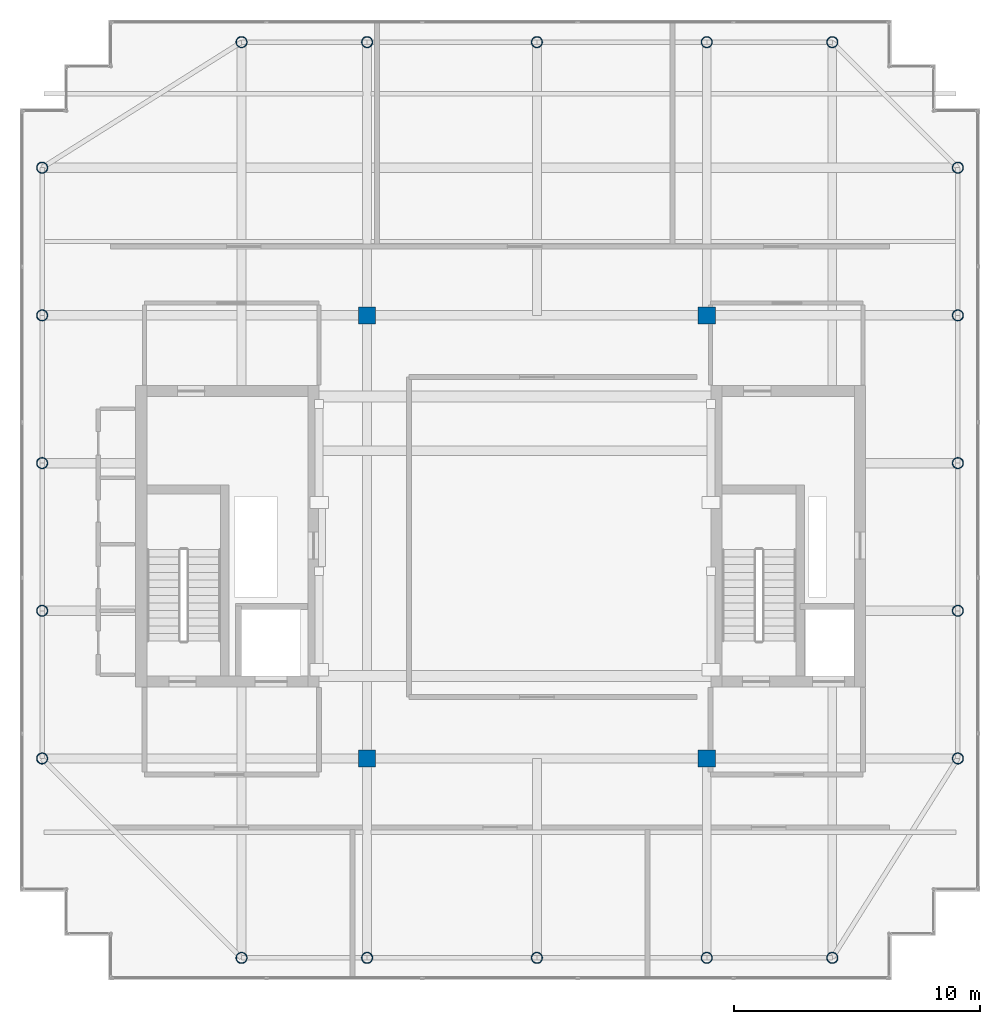
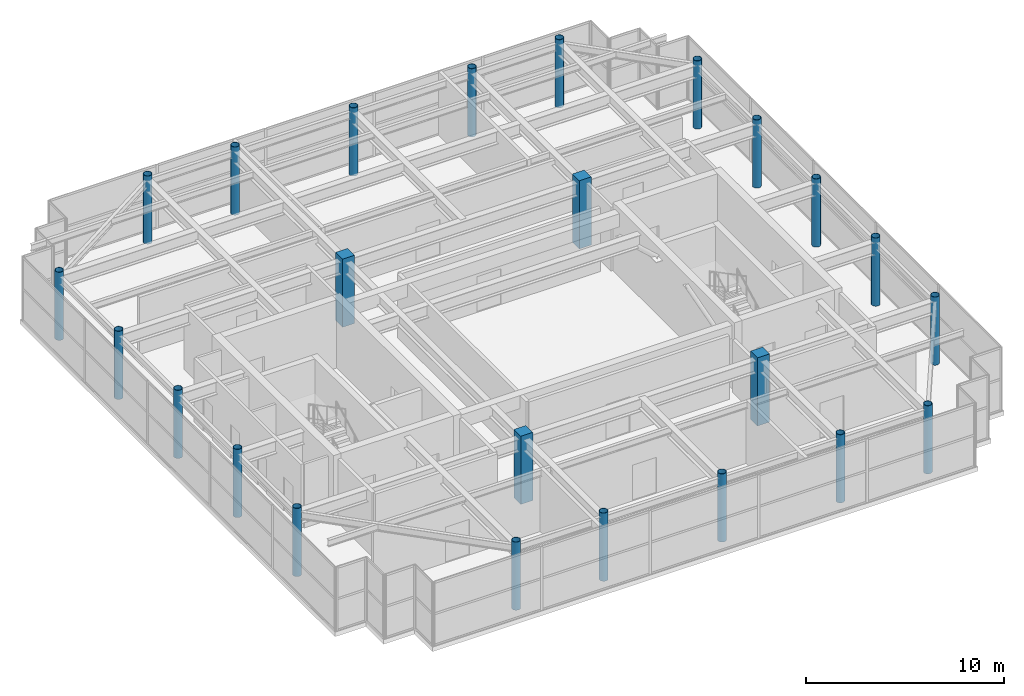
# One storey, part 1 of 33: 24 columns.
"""IFC4 building model written with IfcOpenShell, lengths in metres."""

import ifcopenshell
import ifcopenshell.guid

model = None  # the IFC model being written
_history = None  # IfcOwnerHistory: only IFC2X3 demands one
_inside = {}  # id of a spatial element -> (the spatial element, [elements in it])
_under = {}  # id of a project, library or spatial element -> (it, [spatial elements below it])
_declared = {}  # id of a project -> (the project, [libraries it declares])
_typed = {}  # id of a type object -> (the type object, [elements of that type])
_made_of = {}  # id of a material, layer set ... -> (it, [elements and type objects made of it])


def new_model(schema):
    """Start an empty IFC model of exactly this schema.

    Asked for "IFC4X3", IfcOpenShell would pick the latest addendum, in which some entities
    have other attributes; the version numbers below select the first issue.
    IFC2X3 requires an IfcOwnerHistory on every rooted entity: one is made here for all.
    """
    global model, _history
    if schema == "IFC4X3":
        model = ifcopenshell.file(schema_version=(4, 3, 0, 0))
    else:
        model = ifcopenshell.file(schema=schema)
    _inside.clear()
    _under.clear()
    _declared.clear()
    _typed.clear()
    _made_of.clear()
    _history = None
    if model.schema == "IFC2X3":
        org = make("IfcOrganization", Name="unknown")
        user = make(
            "IfcPersonAndOrganization",
            ThePerson=make("IfcPerson", FamilyName="unknown"),
            TheOrganization=org,
        )
        app = make(
            "IfcApplication",
            ApplicationDeveloper=org,
            Version="unknown",
            ApplicationFullName="unknown",
            ApplicationIdentifier="unknown",
        )
        _history = make(
            "IfcOwnerHistory",
            OwningUser=user,
            OwningApplication=app,
            ChangeAction="ADDED",
            CreationDate=0,
        )
    return model


def make(cls, **values):
    """One entity of the class cls with the attributes given. An attribute that is None is left unset."""
    return model.create_entity(
        cls, **{name: value for name, value in values.items() if value is not None}
    )


def rooted(cls, **values):
    """An entity with a GlobalId (a new one), such as an element, a storey or a relation."""
    return make(cls, GlobalId=ifcopenshell.guid.new(), OwnerHistory=_history, **values)


def si_unit(unit_type, name, prefix=None):
    """IfcSIUnit, for example si_unit("LENGTHUNIT", "METRE", prefix="MILLI")."""
    return make("IfcSIUnit", UnitType=unit_type, Prefix=prefix, Name=name)


def assignment(units):
    """IfcUnitAssignment: the units of a project."""
    return None if units is None else make("IfcUnitAssignment", Units=units)


def point(xyz):
    """IfcCartesianPoint."""
    return None if xyz is None else make("IfcCartesianPoint", Coordinates=xyz)


def direction(xyz):
    """IfcDirection."""
    return None if xyz is None else make("IfcDirection", DirectionRatios=xyz)


def frame(location, z_axis=None, x_axis=None):
    """IfcAxis2Placement3D, a coordinate frame: its origin and axes. An axis left out is left unset."""
    return make(
        "IfcAxis2Placement3D",
        Location=point(location),
        Axis=direction(z_axis),
        RefDirection=direction(x_axis),
    )


def frame_2d(location, x_axis=None):
    """IfcAxis2Placement2D, a coordinate frame in the plane: its origin and x axis."""
    return make(
        "IfcAxis2Placement2D", Location=point(location), RefDirection=direction(x_axis)
    )


def origin():
    """The frame at (0, 0, 0) with its axes left unset."""
    return frame((0.0, 0.0, 0.0))


def origin_2d():
    """The frame at (0, 0) in the plane with its x axis left unset."""
    return frame_2d((0.0, 0.0))


def place(relative_to, where):
    """IfcLocalPlacement: puts the frame where relative to a parent placement (None: the world)."""
    return make(
        "IfcLocalPlacement", PlacementRelTo=relative_to, RelativePlacement=where
    )


def context(
    kind, dimensions, precision=None, world=None, true_north=None, identifier=None
):
    """IfcGeometricRepresentationContext, for example the 3D "Model" context."""
    return make(
        "IfcGeometricRepresentationContext",
        ContextIdentifier=identifier,
        ContextType=kind,
        CoordinateSpaceDimension=dimensions,
        Precision=precision,
        WorldCoordinateSystem=world,
        TrueNorth=true_north,
    )


def subcontext(parent, identifier, kind, view, scale=None):
    """IfcGeometricRepresentationSubContext, for example "Body" below "Model"."""
    return make(
        "IfcGeometricRepresentationSubContext",
        ContextIdentifier=identifier,
        ContextType=kind,
        ParentContext=parent,
        TargetScale=scale,
        TargetView=view,
    )


def project(units=None, contexts=None):
    """IfcProject with its units and contexts."""
    return rooted(
        "IfcProject",
        Name="project",
        RepresentationContexts=contexts,
        UnitsInContext=assignment(units),
    )


def spatial(cls, under=None, at=None, **own):
    """A site, building, storey or space (cls), placed at a placement, below another one or the project."""
    s = rooted(cls, ObjectPlacement=at, **own)
    if under is not None:
        _under.setdefault(under.id(), (under, []))[1].append(s)
    return s


def profile(cls, at=None, kind="AREA", **sizes):
    """A parametric profile (cls). Its sizes go by their IFC names, for example OverallWidth=200.0."""
    return make(cls, ProfileType=kind, Position=at, **sizes)


def rectangle(**sizes):
    """IfcRectangleProfileDef."""
    return profile("IfcRectangleProfileDef", **sizes)


def hollow_circle(**sizes):
    """IfcCircleHollowProfileDef."""
    return profile("IfcCircleHollowProfileDef", **sizes)


def extrude(swept, where, along, depth):
    """IfcExtrudedAreaSolid: the profile swept, set in the frame where, extruded along a direction by depth."""
    return make(
        "IfcExtrudedAreaSolid",
        SweptArea=swept,
        Position=where,
        ExtrudedDirection=direction(along),
        Depth=depth,
    )


def shape(context_of_items, identifier, shape_type, items):
    """IfcShapeRepresentation: the items that make up one representation, for example the "Body"."""
    return make(
        "IfcShapeRepresentation",
        ContextOfItems=context_of_items,
        RepresentationIdentifier=identifier,
        RepresentationType=shape_type,
        Items=items,
    )


def source(mapping_origin, context_of_items, identifier, shape_type, items):
    """IfcRepresentationMap: a shape defined once, which mapped items show again and again."""
    return make(
        "IfcRepresentationMap",
        MappingOrigin=mapping_origin,
        MappedRepresentation=shape(context_of_items, identifier, shape_type, items),
    )


def transform(
    local_origin,
    x_axis=None,
    y_axis=None,
    z_axis=None,
    scale=None,
    scale2=None,
    scale3=None,
    uniform=True,
):
    """IfcCartesianTransformationOperator3D, or its non-uniform kind. x_axis, y_axis, z_axis: its Axis1, 2, 3."""
    if uniform:
        return make(
            "IfcCartesianTransformationOperator3D",
            Axis1=direction(x_axis),
            Axis2=direction(y_axis),
            LocalOrigin=point(local_origin),
            Scale=scale,
            Axis3=direction(z_axis),
        )
    return make(
        "IfcCartesianTransformationOperator3DnonUniform",
        Axis1=direction(x_axis),
        Axis2=direction(y_axis),
        LocalOrigin=point(local_origin),
        Scale=scale,
        Axis3=direction(z_axis),
        Scale2=scale2,
        Scale3=scale3,
    )


def mapped(mapping_source, mapping_target):
    """IfcMappedItem: shows the shape of a source again, moved by a transform."""
    return make(
        "IfcMappedItem", MappingSource=mapping_source, MappingTarget=mapping_target
    )


def material(Name=None, Category=None):
    """IfcMaterial."""
    return make("IfcMaterial", Name=Name, Category=Category)


def material_profile(
    of_material, cross_section, Name=None, Category=None, Priority=None
):
    """IfcMaterialProfile: a cross section and its material."""
    return make(
        "IfcMaterialProfile",
        Name=Name,
        Material=of_material,
        Profile=cross_section,
        Priority=Priority,
        Category=Category,
    )


def profile_set(profiles, Name=None, composite=None):
    """IfcMaterialProfileSet."""
    return make(
        "IfcMaterialProfileSet",
        Name=Name,
        MaterialProfiles=profiles,
        CompositeProfile=composite,
    )


def made_of(thing, what):
    """Note that an element or type object is made of a material, layer set ...; save() writes the relation."""
    if what is not None:
        _made_of.setdefault(what.id(), (what, []))[1].append(thing)
    return thing


def type_object(cls, material=None, **own):
    """A type object (cls), such as IfcWallType, which elements share."""
    return made_of(rooted(cls, **own), material)


def element(
    cls,
    number,
    at=None,
    inside=None,
    cuts=None,
    type_object=None,
    material=None,
    context=None,
    identifier="Body",
    shape_type=None,
    held_by="IfcProductDefinitionShape",
    body=None,
    shapes=None,
    **own,
):
    """One element of the class cls, such as IfcWall. Its Tag is "e" and its number.

    at: its placement. inside: the storey or other place that contains it. cuts: it is an
    opening in that element (IfcRelVoidsElement). A single representation is given by context,
    identifier, shape_type and body (its items); several are given by shapes. held_by: the class
    of the entity that holds the representations. save() writes the other relations.
    """
    e = rooted(cls, Tag="e%d" % number, ObjectPlacement=at, **own)
    if body is not None:
        shapes = [shape(context, identifier, shape_type, body)]
    if shapes is not None:
        e.Representation = make(held_by, Representations=shapes)
    if inside is not None:
        _inside.setdefault(inside.id(), (inside, []))[1].append(e)
    if cuts is not None:
        rooted(
            "IfcRelVoidsElement", RelatingBuildingElement=cuts, RelatedOpeningElement=e
        )
    if type_object is not None:
        _typed.setdefault(type_object.id(), (type_object, []))[1].append(e)
    return made_of(e, material)


def aggregate(whole, parts):
    """IfcRelAggregates: a whole, such as a stair, and the parts it consists of."""
    return rooted("IfcRelAggregates", RelatingObject=whole, RelatedObjects=parts)


def save(model, path):
    """Write the relations noted so far, then the file.

    IfcRelAggregates (storeys below a building ...), IfcRelContainedInSpatialStructure (elements
    in a storey), IfcRelDefinesByType, IfcRelAssociatesMaterial and IfcRelDeclares: one each for
    every whole, place, type object, material and project.
    """
    for whole, parts in _under.values():
        aggregate(whole, parts)
    for where, things in _inside.values():
        rooted(
            "IfcRelContainedInSpatialStructure",
            RelatedElements=things,
            RelatingStructure=where,
        )
    for kind, things in _typed.values():
        rooted("IfcRelDefinesByType", RelatedObjects=things, RelatingType=kind)
    for what, things in _made_of.values():
        rooted("IfcRelAssociatesMaterial", RelatedObjects=things, RelatingMaterial=what)
    for by, libraries in _declared.values():
        rooted("IfcRelDeclares", RelatingContext=by, RelatedDefinitions=libraries)
    model.write(path)


model = new_model("IFC4")

# Units and contexts
model_context = context("Model", 3, precision=1e-05, world=origin(), true_north=direction((0.0, 1.0)))
body_context = subcontext(model_context, "Body", "Model", "MODEL_VIEW")
ifc_project = project(units=[si_unit("LENGTHUNIT", "METRE"), si_unit("AREAUNIT", "SQUARE_METRE"), si_unit("VOLUMEUNIT", "CUBIC_METRE"), si_unit("PLANEANGLEUNIT", "RADIAN"), si_unit("MASSUNIT", "GRAM", prefix="KILO")], contexts=[model_context])

# Site, building, storey
site_placement = place(None, origin())
site = spatial("IfcSite", under=ifc_project, at=site_placement, CompositionType="ELEMENT")
building_placement = place(site_placement, origin())
building = spatial("IfcBuilding", under=site, at=building_placement, Name="Khoralis Quay Care Tower", CompositionType="ELEMENT")
storey_placement = place(building_placement, frame((0.0, 0.0, 302.10009765625)))
storey = spatial("IfcBuildingStorey", under=building, at=storey_placement, Name="L79", CompositionType="ELEMENT", Elevation=302.10009765625)

# Columns
ifc_material_1 = material(Name="Concrete C50/60", Category="concrete")
ifc_material_profile_1 = material_profile(ifc_material_1, rectangle(XDim=0.699951171875, YDim=0.699951171875, at=origin_2d()), Name="Concrete C50/60")
ifc_profile_set_1 = profile_set([ifc_material_profile_1], Name="Concrete C50/60")
column_type_1 = type_object("IfcColumnType", Name="COL-C700", PredefinedType="COLUMN", material=ifc_profile_set_1)
shared_shape_1 = source(origin(), body_context, "Body", "SweptSolid", [
    extrude(rectangle(XDim=0.699951171875, YDim=0.699951171875, at=origin_2d()), origin(), (0.0, 0.0, 1.0), 4.199951171875),
])
for number, where, z_axis, x_axis, name in (
    (1, (17.10009765625, 12.0, 0.0), (0.0, 0.0, 1.0), (1.0, 0.0, 0.0), "COL-TWR-L79-21"),
    (2, (17.10009765625, 30.0, 0.0), (0.0, 0.0, 1.0), (1.0, 0.0, 0.0), "COL-TWR-L79-22"),
    (3, (30.89990234375, 12.0, 0.0), (0.0, 0.0, 1.0), (1.0, 0.0, 0.0), "COL-TWR-L79-23"),
    (4, (30.89990234375, 30.0, 0.0), (0.0, 0.0, 1.0), (1.0, 0.0, 0.0), "COL-TWR-L79-24"),
):
    element("IfcColumn", number, at=place(storey_placement, frame(where, z_axis=z_axis, x_axis=x_axis)), inside=storey, type_object=column_type_1, Name=name, PredefinedType="COLUMN", context=body_context, shape_type="MappedRepresentation", body=[
        mapped(shared_shape_1, transform((0.0, 0.0, 0.0), scale=1.0)),
    ])
ifc_material_2 = material(Name="Steel S460", Category="steel")
ifc_material_profile_2 = material_profile(ifc_material_2, hollow_circle(Radius=0.228515625, WallThickness=0.02490234375, at=origin_2d()), Name="Steel S460")
ifc_profile_set_2 = profile_set([ifc_material_profile_2], Name="Steel S460")
column_type_2 = type_object("IfcColumnType", Name="COL-LN-CHS457", PredefinedType="COLUMN", material=ifc_profile_set_2)
shared_shape_2 = source(origin(), body_context, "Body", "SweptSolid", [
    extrude(hollow_circle(Radius=0.228515625, WallThickness=0.02490234375, at=origin_2d()), origin(), (0.0, 0.0, 1.0), 4.199951171875),
])
for number, where, z_axis, x_axis, name in (
    (5, (12.0, 3.89990234375, 0.0), (0.0, 0.0, 1.0), (1.0, 0.0, 0.0), "COL-TWR-L79-01"),
    (6, (12.0, 41.10009765625, 0.0), (0.0, 0.0, 1.0), (1.0, 0.0, 0.0), "COL-TWR-L79-02"),
    (7, (17.10009765625, 3.89990234375, 0.0), (0.0, 0.0, 1.0), (1.0, 0.0, 0.0), "COL-TWR-L79-03"),
    (8, (17.10009765625, 41.10009765625, 0.0), (0.0, 0.0, 1.0), (1.0, 0.0, 0.0), "COL-TWR-L79-04"),
    (9, (24.0, 3.89990234375, 0.0), (0.0, 0.0, 1.0), (1.0, 0.0, 0.0), "COL-TWR-L79-05"),
    (10, (24.0, 41.10009765625, 0.0), (0.0, 0.0, 1.0), (1.0, 0.0, 0.0), "COL-TWR-L79-06"),
    (11, (30.89990234375, 3.89990234375, 0.0), (0.0, 0.0, 1.0), (1.0, 0.0, 0.0), "COL-TWR-L79-07"),
    (12, (30.89990234375, 41.10009765625, 0.0), (0.0, 0.0, 1.0), (1.0, 0.0, 0.0), "COL-TWR-L79-08"),
    (13, (36.0, 3.89990234375, 0.0), (0.0, 0.0, 1.0), (1.0, 0.0, 0.0), "COL-TWR-L79-09"),
    (14, (36.0, 41.10009765625, 0.0), (0.0, 0.0, 1.0), (1.0, 0.0, 0.0), "COL-TWR-L79-10"),
    (15, (3.89990234375, 12.0, 0.0), (0.0, 0.0, 1.0), (1.0, 0.0, 0.0), "COL-TWR-L79-11"),
    (16, (41.10009765625, 12.0, 0.0), (0.0, 0.0, 1.0), (1.0, 0.0, 0.0), "COL-TWR-L79-12"),
    (17, (3.89990234375, 18.0, 0.0), (0.0, 0.0, 1.0), (1.0, 0.0, 0.0), "COL-TWR-L79-13"),
    (18, (41.10009765625, 18.0, 0.0), (0.0, 0.0, 1.0), (1.0, 0.0, 0.0), "COL-TWR-L79-14"),
    (19, (3.89990234375, 24.0, 0.0), (0.0, 0.0, 1.0), (1.0, 0.0, 0.0), "COL-TWR-L79-15"),
    (20, (41.10009765625, 24.0, 0.0), (0.0, 0.0, 1.0), (1.0, 0.0, 0.0), "COL-TWR-L79-16"),
    (21, (3.89990234375, 30.0, 0.0), (0.0, 0.0, 1.0), (1.0, 0.0, 0.0), "COL-TWR-L79-17"),
    (22, (41.10009765625, 30.0, 0.0), (0.0, 0.0, 1.0), (1.0, 0.0, 0.0), "COL-TWR-L79-18"),
    (23, (3.89990234375, 36.0, 0.0), (0.0, 0.0, 1.0), (1.0, 0.0, 0.0), "COL-TWR-L79-19"),
    (24, (41.10009765625, 36.0, 0.0), (0.0, 0.0, 1.0), (1.0, 0.0, 0.0), "COL-TWR-L79-20"),
):
    element("IfcColumn", number, at=place(storey_placement, frame(where, z_axis=z_axis, x_axis=x_axis)), inside=storey, type_object=column_type_2, Name=name, PredefinedType="COLUMN", context=body_context, shape_type="MappedRepresentation", body=[
        mapped(shared_shape_2, transform((0.0, 0.0, 0.0), scale=1.0)),
    ])

save(model, "model.ifc")
